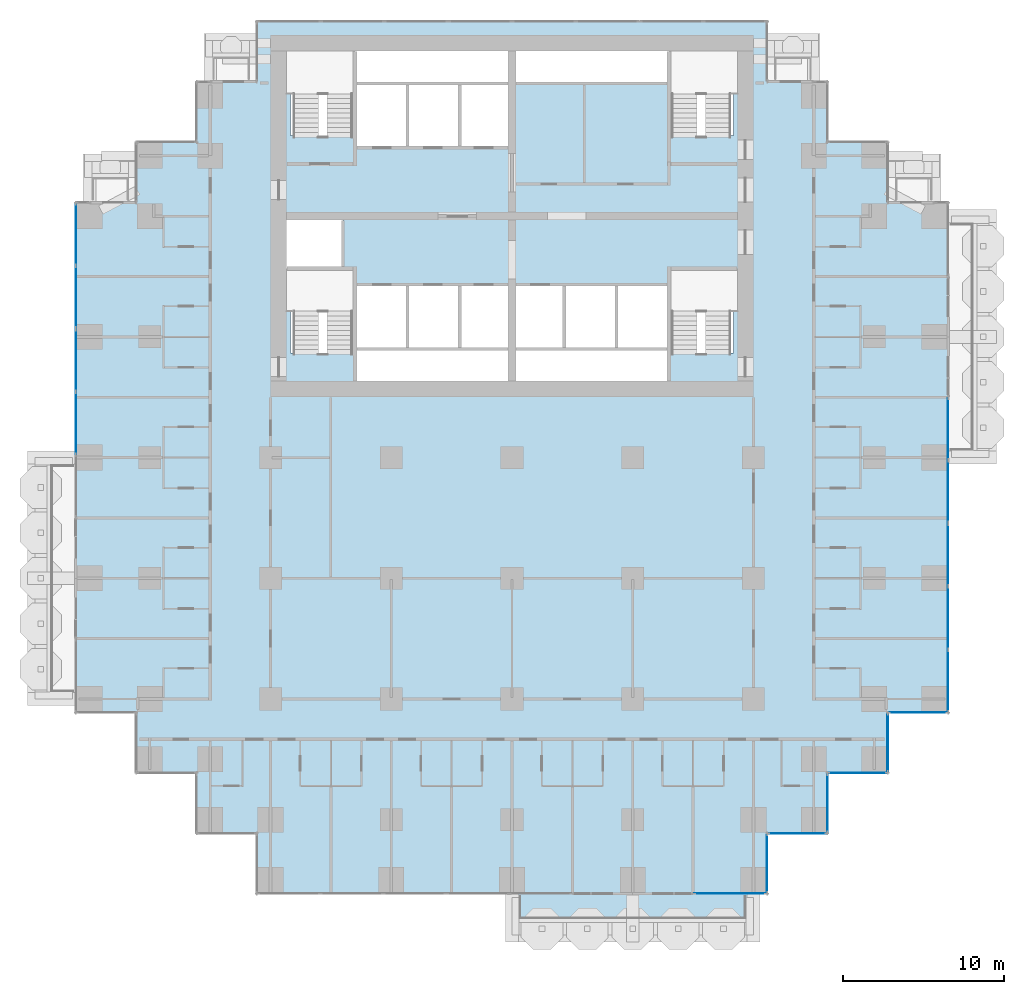
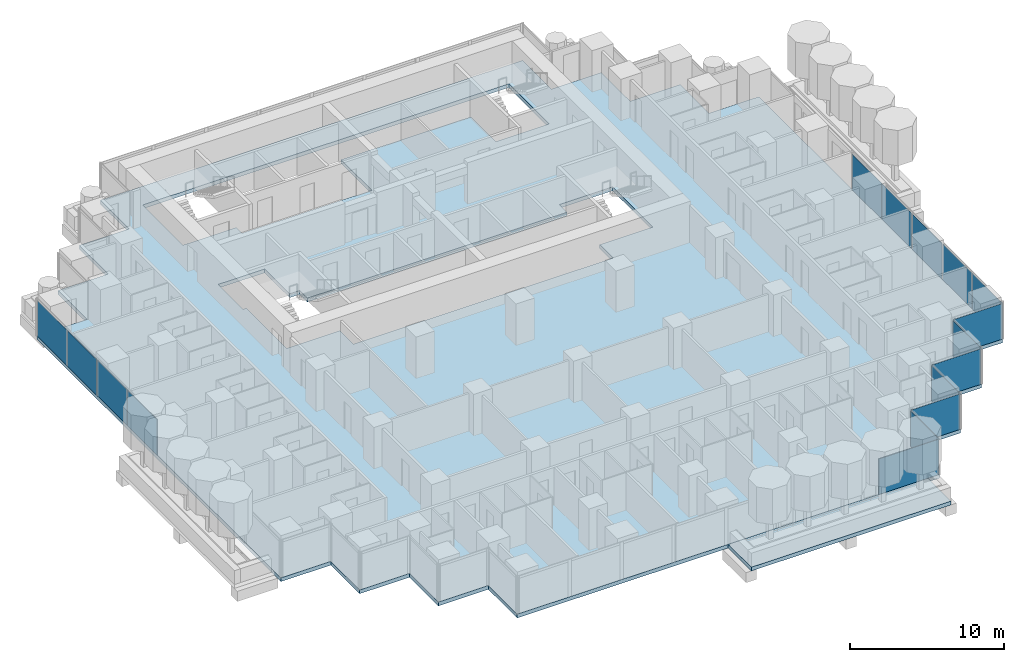
# One storey, part 7 of 19: 16 plates, 2 slabs, 11 elements without a shape of their own.
"""IFC4 building model written with IfcOpenShell, lengths in metres."""

from ifc_helpers import new_model, si_unit, direction, frame, origin, origin_2d, place, context, subcontext, project, spatial, polyline, rectangle, outline, extrude, material, layer, layer_set, type_object, element, aggregate, save


model = new_model("IFC4")

# Units and contexts
model_context = context("Model", 3, precision=1e-05, world=origin(), true_north=direction((0.0, 1.0)))
body_context = subcontext(model_context, "Body", "Model", "MODEL_VIEW")
ifc_project = project(units=[si_unit("LENGTHUNIT", "METRE"), si_unit("AREAUNIT", "SQUARE_METRE"), si_unit("VOLUMEUNIT", "CUBIC_METRE"), si_unit("PLANEANGLEUNIT", "RADIAN"), si_unit("MASSUNIT", "GRAM", prefix="KILO")], contexts=[model_context])

# Site, building, storey
site_placement = place(None, origin())
site = spatial("IfcSite", under=ifc_project, at=site_placement, CompositionType="ELEMENT")
building_placement = place(site_placement, origin())
building = spatial("IfcBuilding", under=site, at=building_placement, Name="Pilkhan Gate Tower", CompositionType="ELEMENT")
storey_placement = place(building_placement, frame((0.0, 0.0, 39.5)))
storey = spatial("IfcBuildingStorey", under=building, at=storey_placement, Name="L06", CompositionType="ELEMENT", Elevation=39.5)

# Slabs
ifc_material_1 = material(Name="Concrete C60/75", Category="concrete")
ifc_layer_1 = layer(ifc_material_1, 0.300048828125)
ifc_layer_set_1 = layer_set([ifc_layer_1], Name="Balcony tray slab TR300")
slab_type_1 = type_object("IfcSlabType", Name="Balcony tray slab TR300", PredefinedType="FLOOR", material=ifc_layer_set_1)
slab_1_placement = place(storey_placement, frame((0.0, 0.0, -0.300048828125)))
element("IfcSlab", 1, at=slab_1_placement, inside=storey, type_object=slab_type_1, Name="Balcony tray L06 S", PredefinedType="FLOOR", context=body_context, shape_type="SweptSolid", body=[
    extrude(outline(polyline([(90.0, 37.39990234375), (90.0, 40.39990234375), (75.0, 40.39990234375), (75.0, 37.39990234375), (90.0, 37.39990234375)])), origin(), (0.0, 0.0, 1.0), 0.300048828125),
])
ifc_material_2 = material(Name="Concrete C40/50", Category="concrete")
ifc_layer_2 = layer(ifc_material_2, 0.300048828125)
ifc_layer_set_2 = layer_set([ifc_layer_2], Name="Flat plate slab FP300")
slab_type_2 = type_object("IfcSlabType", Name="Flat plate slab FP300", PredefinedType="FLOOR", material=ifc_layer_set_2)
slab_2_placement = place(storey_placement, frame((0.0, 0.0, -0.300048828125)))
element("IfcSlab", 2, at=slab_2_placement, inside=storey, type_object=slab_type_2, Name="Floor slab L06", PredefinedType="FLOOR", context=body_context, shape_type="SweptSolid", body=[
    extrude(outline(polyline([(98.35009765625, 47.89990234375), (94.60009765625, 47.89990234375), (94.60009765625, 44.14990234375), (90.85009765625, 44.14990234375), (90.85009765625, 40.39990234375), (59.14990234375, 40.39990234375), (59.14990234375, 44.14990234375), (55.39990234375, 44.14990234375), (55.39990234375, 47.89990234375), (51.64990234375, 47.89990234375), (51.64990234375, 51.64990234375), (47.89990234375, 51.64990234375), (47.89990234375, 83.35009765625), (51.64990234375, 83.35009765625), (51.64990234375, 87.10009765625), (55.39990234375, 87.10009765625), (55.39990234375, 90.85009765625), (59.14990234375, 90.85009765625), (59.14990234375, 94.60009765625), (90.85009765625, 94.60009765625), (90.85009765625, 90.85009765625), (94.60009765625, 90.85009765625), (94.60009765625, 87.10009765625), (98.35009765625, 87.10009765625), (98.35009765625, 83.35009765625), (102.10009765625, 83.35009765625), (102.10009765625, 51.64990234375), (98.35009765625, 51.64990234375), (98.35009765625, 47.89990234375)]), holes=[polyline([(65.25, 87.5), (65.25, 86.75), (68.5, 86.75), (71.75, 86.75), (75.0, 86.75), (75.0, 90.75), (84.75, 90.75), (84.75, 87.5), (88.75, 87.5), (88.75, 92.75), (84.75, 92.75), (75.0, 92.75), (65.25, 92.75), (61.25, 92.75), (61.25, 87.5), (65.25, 87.5)]), polyline([(75.0, 72.25), (84.75, 72.25), (84.75, 74.0), (88.75, 74.0), (88.75, 79.25), (84.75, 79.25), (84.75, 78.25), (81.5, 78.25), (78.25, 78.25), (75.0, 78.25), (71.75, 78.25), (68.5, 78.25), (65.25, 78.25), (65.25, 79.25), (64.5, 79.25), (64.5, 82.5), (61.25, 82.5), (61.0, 82.5), (61.0, 79.25), (61.25, 79.25), (61.25, 74.0), (65.25, 74.0), (65.25, 72.25), (75.0, 72.25)])]), origin(), (0.0, 0.0, 1.0), 0.300048828125),
])

# Curtain wall, plates
ifc_material_3 = material(Name="Pale anodised aluminium, clear low-iron double glazing", Category="aluminium")
curtain_wall_type = type_object("IfcCurtainWallType", Name="Hotel unitised curtain wall CW-H", PredefinedType="USERDEFINED", material=ifc_material_3)
curtain_wall_1_placement = place(storey_placement, origin())
curtain_wall_1 = element("IfcCurtainWall", 3, at=curtain_wall_1_placement, inside=storey, type_object=curtain_wall_type, Name="Hotel unitised curtain wall CW-H L06 E", ObjectType="UNITISED CURTAIN WALL", PredefinedType="USERDEFINED")
ifc_material_4 = material(Name="Clear low-iron double glazing", Category="glass")
ifc_layer_3 = layer(ifc_material_4, 0.035888671875)
ifc_layer_set_3 = layer_set([ifc_layer_3], Name="Glass panel CW-H 36")
plate_type = type_object("IfcPlateType", Name="Glass panel CW-H 36", PredefinedType="CURTAIN_PANEL", material=ifc_layer_set_3)
plate_1_placement = place(storey_placement, frame((102.094970703125, 53.630859375, 0.0), z_axis=(0.0, 0.0, 1.0), x_axis=(0.0, 1.0, 0.0)))
plate_1 = element("IfcPlate", 4, at=plate_1_placement, type_object=plate_type, Name="CW-H panel 1", PredefinedType="CURTAIN_PANEL", context=body_context, shape_type="SweptSolid", body=[
    extrude(rectangle(XDim=3.821533203125, YDim=0.035888671875, at=origin_2d()), origin(), (0.0, 0.0, 1.0), 2.820068359375),
])
plate_2_placement = place(storey_placement, frame((102.094970703125, 57.533447265625, 0.0), z_axis=(0.0, 0.0, 1.0), x_axis=(0.0, 1.0, 0.0)))
plate_2 = element("IfcPlate", 5, at=plate_2_placement, type_object=plate_type, Name="CW-H panel 2", PredefinedType="CURTAIN_PANEL", context=body_context, shape_type="SweptSolid", body=[
    extrude(rectangle(XDim=3.85400390625, YDim=0.035888671875, at=origin_2d()), origin(), (0.0, 0.0, 1.0), 2.820068359375),
])
plate_3_placement = place(storey_placement, frame((102.094970703125, 61.436279296875, 0.0), z_axis=(0.0, 0.0, 1.0), x_axis=(0.0, 1.0, 0.0)))
plate_3 = element("IfcPlate", 6, at=plate_3_placement, type_object=plate_type, Name="CW-H panel 3", PredefinedType="CURTAIN_PANEL", context=body_context, shape_type="SweptSolid", body=[
    extrude(rectangle(XDim=3.821533203125, YDim=0.035888671875, at=origin_2d()), origin(), (0.0, 0.0, 1.0), 2.820068359375),
])
aggregate(curtain_wall_1, [plate_1, plate_2, plate_3])

curtain_wall_2_placement = place(storey_placement, origin())
curtain_wall_2 = element("IfcCurtainWall", 7, at=curtain_wall_2_placement, inside=storey, type_object=curtain_wall_type, Name="Hotel unitised curtain wall CW-H L06 E", ObjectType="UNITISED CURTAIN WALL", PredefinedType="USERDEFINED")
plate_4_placement = place(storey_placement, frame((102.094970703125, 65.3876953125, 0.0), z_axis=(0.0, 0.0, 1.0), x_axis=(0.0, 1.0, 0.0)))
plate_4 = element("IfcPlate", 8, at=plate_4_placement, type_object=plate_type, Name="CW-H panel 1", PredefinedType="CURTAIN_PANEL", context=body_context, shape_type="SweptSolid", body=[
    extrude(rectangle(XDim=3.821533203125, YDim=0.035888671875, at=origin_2d()), origin(), (0.0, 0.0, 1.0), 2.820068359375),
])
plate_5_placement = place(storey_placement, frame((102.094970703125, 69.274169921875, 0.0), z_axis=(0.0, 0.0, 1.0), x_axis=(0.0, 1.0, 0.0)))
plate_5 = element("IfcPlate", 9, at=plate_5_placement, type_object=plate_type, Name="CW-H panel 2", PredefinedType="CURTAIN_PANEL", context=body_context, shape_type="SweptSolid", body=[
    extrude(rectangle(XDim=3.821533203125, YDim=0.035888671875, at=origin_2d()), origin(), (0.0, 0.0, 1.0), 2.820068359375),
])
aggregate(curtain_wall_2, [plate_4, plate_5])

curtain_wall_3_placement = place(storey_placement, origin())
curtain_wall_3 = element("IfcCurtainWall", 10, at=curtain_wall_3_placement, inside=storey, type_object=curtain_wall_type, Name="Hotel unitised curtain wall CW-H L06 W", ObjectType="UNITISED CURTAIN WALL", PredefinedType="USERDEFINED")
plate_6_placement = place(storey_placement, frame((47.905029296875, 69.62841796875, 0.0), z_axis=(0.0, 0.0, 1.0), x_axis=(0.0, 1.0, 0.0)))
plate_6 = element("IfcPlate", 11, at=plate_6_placement, type_object=plate_type, Name="CW-H panel 2", PredefinedType="CURTAIN_PANEL", context=body_context, shape_type="SweptSolid", body=[
    extrude(rectangle(XDim=3.85400390625, YDim=0.035888671875, at=origin_2d()), origin(), (0.0, 0.0, 1.0), 2.820068359375),
])
plate_7_placement = place(storey_placement, frame((47.905029296875, 73.53125, 0.0), z_axis=(0.0, 0.0, 1.0), x_axis=(0.0, 1.0, 0.0)))
plate_7 = element("IfcPlate", 12, at=plate_7_placement, type_object=plate_type, Name="CW-H panel 3", PredefinedType="CURTAIN_PANEL", context=body_context, shape_type="SweptSolid", body=[
    extrude(rectangle(XDim=3.821533203125, YDim=0.035888671875, at=origin_2d()), origin(), (0.0, 0.0, 1.0), 2.820068359375),
])
aggregate(curtain_wall_3, [plate_6, plate_7])

curtain_wall_4_placement = place(storey_placement, origin())
curtain_wall_4 = element("IfcCurtainWall", 13, at=curtain_wall_4_placement, inside=storey, type_object=curtain_wall_type, Name="Hotel unitised curtain wall CW-H L06 W", ObjectType="UNITISED CURTAIN WALL", PredefinedType="USERDEFINED")
plate_8_placement = place(storey_placement, frame((47.905029296875, 77.482666015625, 0.0), z_axis=(0.0, 0.0, 1.0), x_axis=(0.0, 1.0, 0.0)))
plate_8 = element("IfcPlate", 14, at=plate_8_placement, type_object=plate_type, Name="CW-H panel 1", PredefinedType="CURTAIN_PANEL", context=body_context, shape_type="SweptSolid", body=[
    extrude(rectangle(XDim=3.821533203125, YDim=0.035888671875, at=origin_2d()), origin(), (0.0, 0.0, 1.0), 2.820068359375),
])
plate_9_placement = place(storey_placement, frame((47.905029296875, 81.369140625, 0.0), z_axis=(0.0, 0.0, 1.0), x_axis=(0.0, 1.0, 0.0)))
plate_9 = element("IfcPlate", 15, at=plate_9_placement, type_object=plate_type, Name="CW-H panel 2", PredefinedType="CURTAIN_PANEL", context=body_context, shape_type="SweptSolid", body=[
    extrude(rectangle(XDim=3.821533203125, YDim=0.035888671875, at=origin_2d()), origin(), (0.0, 0.0, 1.0), 2.820068359375),
])
aggregate(curtain_wall_4, [plate_8, plate_9])

# Curtain wall, plate
curtain_wall_5_placement = place(storey_placement, origin())
curtain_wall_5 = element("IfcCurtainWall", 16, at=curtain_wall_5_placement, inside=storey, type_object=curtain_wall_type, Name="Hotel unitised curtain wall CW-H L06 S", ObjectType="UNITISED CURTAIN WALL", PredefinedType="USERDEFINED")
plate_10_placement = place(storey_placement, frame((88.547607421875, 40.405029296875, 0.0), z_axis=(0.0, 0.0, 1.0), x_axis=(1.0, 0.0, 0.0)))
plate_10 = element("IfcPlate", 17, at=plate_10_placement, type_object=plate_type, Name="CW-H panel 1", PredefinedType="CURTAIN_PANEL", context=body_context, shape_type="SweptSolid", body=[
    extrude(rectangle(XDim=4.465087890625, YDim=0.035888671875, at=origin_2d()), origin(), (0.0, 0.0, 1.0), 2.820068359375),
])
aggregate(curtain_wall_5, [plate_10])

curtain_wall_6_placement = place(storey_placement, origin())
curtain_wall_6 = element("IfcCurtainWall", 18, at=curtain_wall_6_placement, inside=storey, type_object=curtain_wall_type, Name="Hotel unitised curtain wall CW-H L06 E", ObjectType="UNITISED CURTAIN WALL", PredefinedType="USERDEFINED")
plate_11_placement = place(storey_placement, frame((90.844970703125, 42.280029296875, 0.0), z_axis=(0.0, 0.0, 1.0), x_axis=(0.0, 1.0, 0.0)))
plate_11 = element("IfcPlate", 19, at=plate_11_placement, type_object=plate_type, Name="CW-H panel 1", PredefinedType="CURTAIN_PANEL", context=body_context, shape_type="SweptSolid", body=[
    extrude(rectangle(XDim=3.6201171875, YDim=0.035888671875, at=origin_2d()), origin(), (0.0, 0.0, 1.0), 2.820068359375),
])
aggregate(curtain_wall_6, [plate_11])

curtain_wall_7_placement = place(storey_placement, origin())
curtain_wall_7 = element("IfcCurtainWall", 20, at=curtain_wall_7_placement, inside=storey, type_object=curtain_wall_type, Name="Hotel unitised curtain wall CW-H L06 S", ObjectType="UNITISED CURTAIN WALL", PredefinedType="USERDEFINED")
plate_12_placement = place(storey_placement, frame((92.719970703125, 44.155029296875, 0.0), z_axis=(0.0, 0.0, 1.0), x_axis=(1.0, 0.0, 0.0)))
plate_12 = element("IfcPlate", 21, at=plate_12_placement, type_object=plate_type, Name="CW-H panel 1", PredefinedType="CURTAIN_PANEL", context=body_context, shape_type="SweptSolid", body=[
    extrude(rectangle(XDim=3.6201171875, YDim=0.035888671875, at=origin_2d()), origin(), (0.0, 0.0, 1.0), 2.820068359375),
])
aggregate(curtain_wall_7, [plate_12])

curtain_wall_8_placement = place(storey_placement, origin())
curtain_wall_8 = element("IfcCurtainWall", 22, at=curtain_wall_8_placement, inside=storey, type_object=curtain_wall_type, Name="Hotel unitised curtain wall CW-H L06 E", ObjectType="UNITISED CURTAIN WALL", PredefinedType="USERDEFINED")
plate_13_placement = place(storey_placement, frame((94.594970703125, 46.030029296875, 0.0), z_axis=(0.0, 0.0, 1.0), x_axis=(0.0, 1.0, 0.0)))
plate_13 = element("IfcPlate", 23, at=plate_13_placement, type_object=plate_type, Name="CW-H panel 1", PredefinedType="CURTAIN_PANEL", context=body_context, shape_type="SweptSolid", body=[
    extrude(rectangle(XDim=3.6201171875, YDim=0.035888671875, at=origin_2d()), origin(), (0.0, 0.0, 1.0), 2.820068359375),
])
aggregate(curtain_wall_8, [plate_13])

curtain_wall_9_placement = place(storey_placement, origin())
curtain_wall_9 = element("IfcCurtainWall", 24, at=curtain_wall_9_placement, inside=storey, type_object=curtain_wall_type, Name="Hotel unitised curtain wall CW-H L06 S", ObjectType="UNITISED CURTAIN WALL", PredefinedType="USERDEFINED")
plate_14_placement = place(storey_placement, frame((96.469970703125, 47.905029296875, 0.0), z_axis=(0.0, 0.0, 1.0), x_axis=(1.0, 0.0, 0.0)))
plate_14 = element("IfcPlate", 25, at=plate_14_placement, type_object=plate_type, Name="CW-H panel 1", PredefinedType="CURTAIN_PANEL", context=body_context, shape_type="SweptSolid", body=[
    extrude(rectangle(XDim=3.6201171875, YDim=0.035888671875, at=origin_2d()), origin(), (0.0, 0.0, 1.0), 2.820068359375),
])
aggregate(curtain_wall_9, [plate_14])

curtain_wall_10_placement = place(storey_placement, origin())
curtain_wall_10 = element("IfcCurtainWall", 26, at=curtain_wall_10_placement, inside=storey, type_object=curtain_wall_type, Name="Hotel unitised curtain wall CW-H L06 E", ObjectType="UNITISED CURTAIN WALL", PredefinedType="USERDEFINED")
plate_15_placement = place(storey_placement, frame((98.344970703125, 49.780029296875, 0.0), z_axis=(0.0, 0.0, 1.0), x_axis=(0.0, 1.0, 0.0)))
plate_15 = element("IfcPlate", 27, at=plate_15_placement, type_object=plate_type, Name="CW-H panel 1", PredefinedType="CURTAIN_PANEL", context=body_context, shape_type="SweptSolid", body=[
    extrude(rectangle(XDim=3.6201171875, YDim=0.035888671875, at=origin_2d()), origin(), (0.0, 0.0, 1.0), 2.820068359375),
])
aggregate(curtain_wall_10, [plate_15])

curtain_wall_11_placement = place(storey_placement, origin())
curtain_wall_11 = element("IfcCurtainWall", 28, at=curtain_wall_11_placement, inside=storey, type_object=curtain_wall_type, Name="Hotel unitised curtain wall CW-H L06 S", ObjectType="UNITISED CURTAIN WALL", PredefinedType="USERDEFINED")
plate_16_placement = place(storey_placement, frame((100.219970703125, 51.655029296875, 0.0), z_axis=(0.0, 0.0, 1.0), x_axis=(1.0, 0.0, 0.0)))
plate_16 = element("IfcPlate", 29, at=plate_16_placement, type_object=plate_type, Name="CW-H panel 1", PredefinedType="CURTAIN_PANEL", context=body_context, shape_type="SweptSolid", body=[
    extrude(rectangle(XDim=3.6201171875, YDim=0.035888671875, at=origin_2d()), origin(), (0.0, 0.0, 1.0), 2.820068359375),
])
aggregate(curtain_wall_11, [plate_16])

save(model, "model.ifc")
